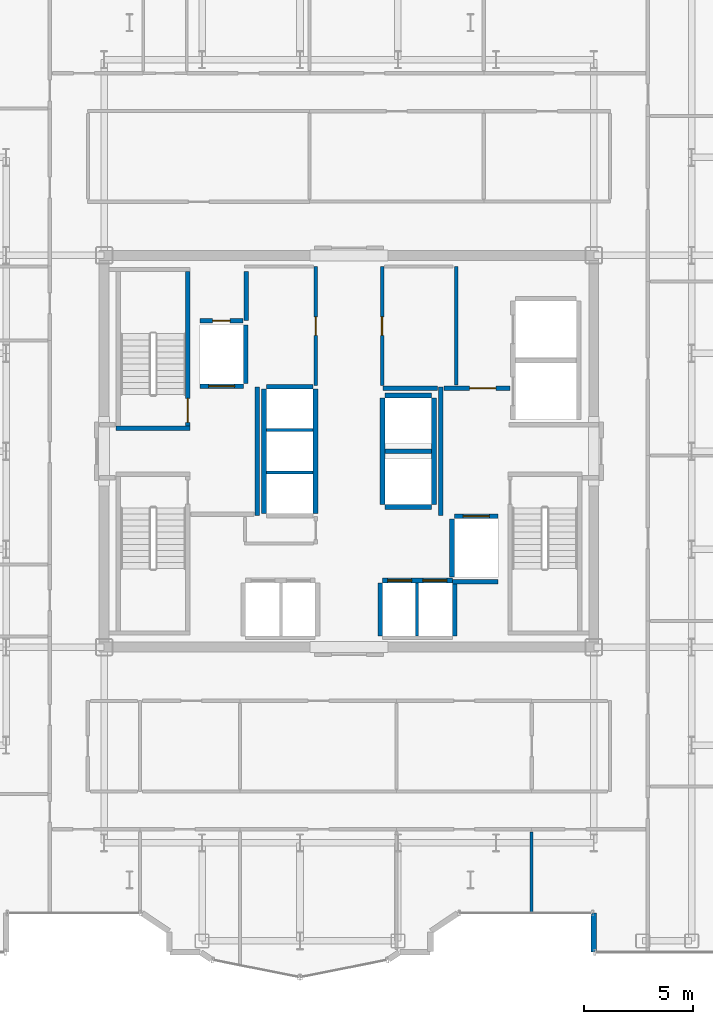
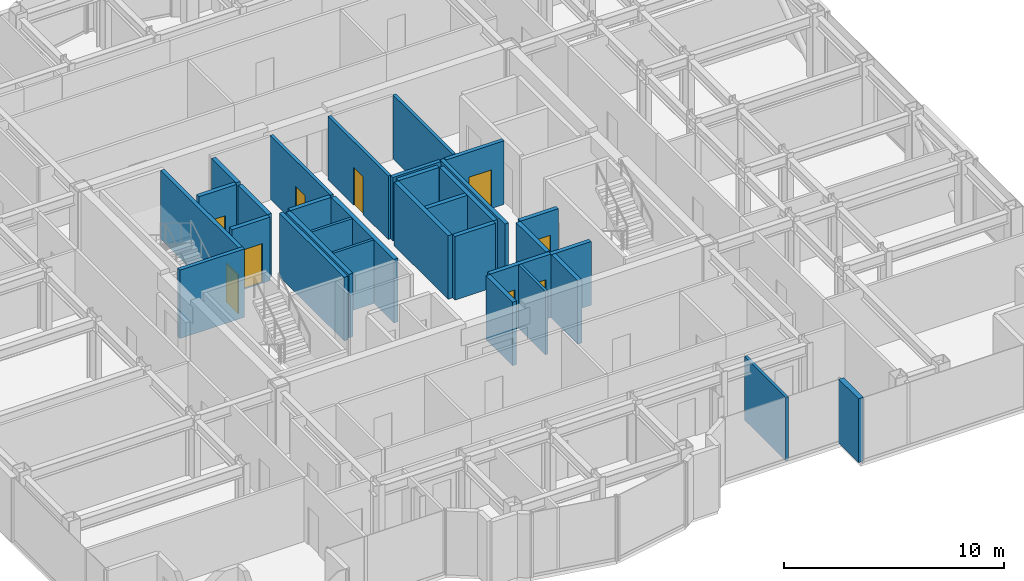
# One storey, part 17 of 21: 32 walls, 9 doors, 9 openings.
"""IFC4 building model written with IfcOpenShell, lengths in metres."""

from ifc_helpers import new_model, si_unit, direction, frame, frame_2d, origin, place, context, subcontext, project, spatial, rectangle, extrude, source, transform, mapped, material, layer, layer_set, type_object, element, fill, save


model = new_model("IFC4")

# Units and contexts
model_context = context("Model", 3, precision=1e-05, world=origin(), true_north=direction((0.0, 1.0)))
body_context = subcontext(model_context, "Body", "Model", "MODEL_VIEW")
ifc_project = project(units=[si_unit("LENGTHUNIT", "METRE"), si_unit("AREAUNIT", "SQUARE_METRE"), si_unit("VOLUMEUNIT", "CUBIC_METRE"), si_unit("PLANEANGLEUNIT", "RADIAN"), si_unit("MASSUNIT", "GRAM", prefix="KILO")], contexts=[model_context])

# Site, building, storey
site_placement = place(None, origin())
site = spatial("IfcSite", under=ifc_project, at=site_placement, CompositionType="ELEMENT")
building_placement = place(site_placement, origin())
building = spatial("IfcBuilding", under=site, at=building_placement, Name="Nefas-Gora Pilgrimage Tower", CompositionType="ELEMENT")
storey_placement = place(building_placement, frame((0.0, 0.0, 229.39990234375)))
storey = spatial("IfcBuildingStorey", under=building, at=storey_placement, Name="L57", CompositionType="ELEMENT", Elevation=229.39990234375)

# Walls
ifc_material_1 = material(Name="Precast concrete C40/50", Category="concrete")
ifc_layer_1 = layer(ifc_material_1, 0.260009765625)
ifc_layer_set_1 = layer_set([ifc_layer_1], Name="Precast concrete C40/50")
wall_type_1 = type_object("IfcWallType", Name="EW-PORTAL-260", PredefinedType="SOLIDWALL", material=ifc_layer_set_1)
shared_shape_1 = source(origin(), body_context, "Body", "SweptSolid", [
    extrude(rectangle(XDim=1.800048828125, YDim=0.260009765625, at=frame_2d((0.89990234375, 0.0))), origin(), (0.0, 0.0, 1.0), 3.550048828125),
])
wall_1_placement = place(storey_placement, frame((11.25, -21.219970703125, 0.0), z_axis=(0.0, 0.0, 1.0), x_axis=(0.0, -1.0, 0.0)))
element("IfcWall", 1, at=wall_1_placement, inside=storey, type_object=wall_type_1, Name="L57 Lobe Shoulder Precast Spandrel Pier 5", PredefinedType="SOLIDWALL", context=body_context, shape_type="MappedRepresentation", body=[
    mapped(shared_shape_1, transform((0.0, 0.0, 0.0), x_axis=(1.0, 0.0, 0.0), y_axis=(0.0, 1.0, 0.0), z_axis=(0.0, 0.0, 1.0), scale=1.0)),
])
ifc_material_2 = material(Name="Concrete C45/55", Category="concrete")
ifc_layer_2 = layer(ifc_material_2, 0.199951171875)
ifc_layer_set_2 = layer_set([ifc_layer_2], Name="Concrete C45/55")
wall_type_2 = type_object("IfcWallType", Name="IW-STAIR-200", PredefinedType="SOLIDWALL", material=ifc_layer_set_2)
shared_shape_2 = source(origin(), body_context, "Body", "SweptSolid", [
    extrude(rectangle(XDim=3.39990234375, YDim=0.199951171875, at=frame_2d((1.699951171875, 0.0))), origin(), (0.0, 0.0, 1.0), 3.800048828125),
])
wall_2_placement = place(storey_placement, frame((-7.300048828125, 1.050048828125, 0.0), z_axis=(0.0, 0.0, 1.0), x_axis=(-1.0, 0.0, 0.0)))
element("IfcWall", 2, at=wall_2_placement, inside=storey, type_object=wall_type_2, Name="L57 Stairwell Shear Wall ST-01-near", PredefinedType="SOLIDWALL", context=body_context, shape_type="MappedRepresentation", body=[
    mapped(shared_shape_2, transform((0.0, 0.0, 0.0), x_axis=(1.0, 0.0, 0.0), y_axis=(0.0, 1.0, 0.0), z_axis=(0.0, 0.0, 1.0), scale=1.0)),
])

# Wall, opening, door
shared_shape_3 = source(origin(), body_context, "Body", "SweptSolid", [
    extrude(rectangle(XDim=7.10009765625, YDim=0.199951171875, at=frame_2d((3.550048828125, 0.0))), origin(), (0.0, 0.0, 1.0), 3.800048828125),
])
wall_3_placement = place(storey_placement, frame((-7.39990234375, 1.14990234375, 0.0), z_axis=(0.0, 0.0, 1.0), x_axis=(0.0, 1.0, 0.0)))
wall_3 = element("IfcWall", 3, at=wall_3_placement, inside=storey, type_object=wall_type_2, Name="L57 Stairwell Shear Wall ST-01-left", PredefinedType="SOLIDWALL", context=body_context, shape_type="MappedRepresentation", body=[
    mapped(shared_shape_3, transform((0.0, 0.0, 0.0), x_axis=(1.0, 0.0, 0.0), y_axis=(0.0, 1.0, 0.0), z_axis=(0.0, 0.0, 1.0), scale=1.0)),
])
opening_1_placement = place(wall_3_placement, frame((0.179931640625, 0.0, 0.0)))
opening_1 = element("IfcOpeningElement", 4, at=opening_1_placement, cuts=wall_3, Name="Opening ID-ST1", PredefinedType="OPENING", context=body_context, shape_type="SweptSolid", body=[
    extrude(rectangle(XDim=1.10009765625, YDim=2.14990234375, at=frame_2d((0.550048828125, 1.074951171875))), frame((0.0, 0.10986328125, 0.0), z_axis=(0.0, -1.0, 0.0), x_axis=(1.0, 0.0, 0.0)), (0.0, 0.0, 1.0), 0.219970703125),
])
ifc_material_3 = material(Name="Painted galvanised steel fire stair door", Category="steel")
door_type_1 = type_object("IfcDoorType", Name="DR-INT-STAIR-1100", OperationType="NOTDEFINED", PredefinedType="DOOR", material=ifc_material_3)
shared_shape_4 = source(origin(), body_context, "Body", "SweptSolid", [
    extrude(rectangle(XDim=1.10009765625, YDim=2.14990234375, at=frame_2d((0.550048828125, 1.074951171875))), frame((0.0, 0.02490234375, 0.0), z_axis=(0.0, -1.0, 0.0), x_axis=(1.0, 0.0, 0.0)), (0.0, 0.0, 1.0), 0.050048828125),
])
door_1_placement = place(opening_1_placement, origin())
door_1 = element("IfcDoor", 5, at=door_1_placement, inside=storey, type_object=door_type_1, Name="L57 Protected Exit Stair Door ST-01", OperationType="SINGLE_SWING_LEFT", OverallHeight=2.14990234375, OverallWidth=1.10009765625, PredefinedType="DOOR", context=body_context, shape_type="MappedRepresentation", body=[
    mapped(shared_shape_4, transform((0.0, 0.0, 0.0), x_axis=(1.0, 0.0, 0.0), y_axis=(0.0, 1.0, 0.0), z_axis=(0.0, 0.0, 1.0), scale=1.0)),
])
fill(opening_1, door_1)

ifc_material_4 = material(Name="Concrete C40/50", Category="concrete")
ifc_layer_3 = layer(ifc_material_4, 0.219970703125)
ifc_layer_set_3 = layer_set([ifc_layer_3], Name="Concrete C40/50")
wall_type_3 = type_object("IfcWallType", Name="IW-SHAFT-220", PredefinedType="SOLIDWALL", material=ifc_layer_set_3)
shared_shape_5 = source(origin(), body_context, "Body", "SweptSolid", [
    extrude(rectangle(XDim=2.0, YDim=0.219970703125, at=frame_2d((1.0, 0.0))), origin(), (0.0, 0.0, 1.0), 3.53515625),
])
wall_4_placement = place(storey_placement, frame((-6.85009765625, 2.989990234375, 0.0), z_axis=(0.0, 0.0, 1.0), x_axis=(1.0, 0.0, 0.0)))
wall_4 = element("IfcWall", 6, at=wall_4_placement, inside=storey, type_object=wall_type_3, Name="L57 Hoistway Wall FFL-01-S", PredefinedType="SOLIDWALL", context=body_context, shape_type="MappedRepresentation", body=[
    mapped(shared_shape_5, transform((0.0, 0.0, 0.0), x_axis=(1.0, 0.0, 0.0), y_axis=(0.0, 1.0, 0.0), z_axis=(0.0, 0.0, 1.0), scale=1.0)),
])
opening_2_placement = place(wall_4_placement, frame((0.39990234375, 0.0, 0.0)))
opening_2 = element("IfcOpeningElement", 7, at=opening_2_placement, cuts=wall_4, Name="Opening LD-FF", PredefinedType="OPENING", context=body_context, shape_type="SweptSolid", body=[
    extrude(rectangle(XDim=1.199951171875, YDim=2.199951171875, at=frame_2d((0.60009765625, 1.10009765625))), frame((0.0, 0.119873046875, 0.0), z_axis=(0.0, -1.0, 0.0), x_axis=(1.0, 0.0, 0.0)), (0.0, 0.0, 1.0), 0.239990234375),
])
ifc_material_5 = material(Name="Fire-service sliding lift landing door")
door_type_2 = type_object("IfcDoorType", Name="DR-LIFT-FSAE-1200", OperationType="SLIDING_TO_LEFT", PredefinedType="DOOR", material=ifc_material_5)
shared_shape_6 = source(origin(), body_context, "Body", "SweptSolid", [
    extrude(rectangle(XDim=1.199951171875, YDim=2.199951171875, at=frame_2d((0.60009765625, 1.10009765625))), frame((0.0, 0.02490234375, 0.0), z_axis=(0.0, -1.0, 0.0), x_axis=(1.0, 0.0, 0.0)), (0.0, 0.0, 1.0), 0.050048828125),
])
door_2_placement = place(opening_2_placement, origin())
door_2 = element("IfcDoor", 8, at=door_2_placement, inside=storey, type_object=door_type_2, Name="L57 Sliding Lift Landing Door FFL-01", OperationType="SLIDING_TO_LEFT", OverallHeight=2.199951171875, OverallWidth=1.199951171875, PredefinedType="DOOR", context=body_context, shape_type="MappedRepresentation", body=[
    mapped(shared_shape_6, transform((0.0, 0.0, 0.0), x_axis=(1.0, 0.0, 0.0), y_axis=(0.0, 1.0, 0.0), z_axis=(0.0, 0.0, 1.0), scale=1.0)),
])
fill(opening_2, door_2)

wall_5_placement = place(storey_placement, frame((6.85009765625, -2.989990234375, 0.0), z_axis=(0.0, 0.0, 1.0), x_axis=(-1.0, 0.0, 0.0)))
wall_5 = element("IfcWall", 9, at=wall_5_placement, inside=storey, type_object=wall_type_3, Name="L57 Hoistway Wall FFL-02-N", PredefinedType="SOLIDWALL", context=body_context, shape_type="MappedRepresentation", body=[
    mapped(shared_shape_5, transform((0.0, 0.0, 0.0), x_axis=(1.0, 0.0, 0.0), y_axis=(0.0, 1.0, 0.0), z_axis=(0.0, 0.0, 1.0), scale=1.0)),
])
opening_3_placement = place(wall_5_placement, frame((0.39990234375, 0.0, 0.0)))
opening_3 = element("IfcOpeningElement", 10, at=opening_3_placement, cuts=wall_5, Name="Opening LD-FF", PredefinedType="OPENING", context=body_context, shape_type="SweptSolid", body=[
    extrude(rectangle(XDim=1.199951171875, YDim=2.199951171875, at=frame_2d((0.60009765625, 1.10009765625))), frame((0.0, 0.119873046875, 0.0), z_axis=(0.0, -1.0, 0.0), x_axis=(1.0, 0.0, 0.0)), (0.0, 0.0, 1.0), 0.239990234375),
])
door_3_placement = place(opening_3_placement, origin())
door_3 = element("IfcDoor", 11, at=door_3_placement, inside=storey, type_object=door_type_2, Name="L57 Sliding Lift Landing Door FFL-02", OperationType="SLIDING_TO_LEFT", OverallHeight=2.199951171875, OverallWidth=1.199951171875, PredefinedType="DOOR", context=body_context, shape_type="MappedRepresentation", body=[
    mapped(shared_shape_6, transform((0.0, 0.0, 0.0), x_axis=(1.0, 0.0, 0.0), y_axis=(0.0, 1.0, 0.0), z_axis=(0.0, 0.0, 1.0), scale=1.0)),
])
fill(opening_3, door_3)

# Walls
shared_shape_7 = source(origin(), body_context, "Body", "SweptSolid", [
    extrude(rectangle(XDim=2.679931640625, YDim=0.219970703125, at=frame_2d((1.33984375, 0.0))), origin(), (0.0, 0.0, 1.0), 3.53515625),
])
for number, where, z_axis, x_axis, name in (
    (12, (-4.739990234375, 3.110107421875, 0.0), (0.0, 0.0, 1.0), (0.0, 1.0, 0.0), "L57 Hoistway Wall FFL-01-E"),
    (13, (4.739990234375, -3.110107421875, 0.0), (0.0, 0.0, 1.0), (0.0, -1.0, 0.0), "L57 Hoistway Wall FFL-02-W"),
):
    element("IfcWall", number, at=place(storey_placement, frame(where, z_axis=z_axis, x_axis=x_axis)), inside=storey, type_object=wall_type_3, Name=name, PredefinedType="SOLIDWALL", context=body_context, shape_type="MappedRepresentation", body=[
        mapped(shared_shape_7, transform((0.0, 0.0, 0.0), x_axis=(1.0, 0.0, 0.0), y_axis=(0.0, 1.0, 0.0), z_axis=(0.0, 0.0, 1.0), scale=1.0)),
    ])

# Wall, openings, doors
shared_shape_8 = source(origin(), body_context, "Body", "SweptSolid", [
    extrude(rectangle(XDim=3.199951171875, YDim=0.219970703125, at=frame_2d((1.60009765625, 0.0))), origin(), (0.0, 0.0, 1.0), 3.53515625),
])
wall_6_placement = place(storey_placement, frame((4.75, -5.93994140625, 0.0), z_axis=(0.0, 0.0, 1.0), x_axis=(-1.0, 0.0, 0.0)))
wall_6 = element("IfcWall", 14, at=wall_6_placement, inside=storey, type_object=wall_type_3, Name="L57 Hoistway Wall PL2-E-N", PredefinedType="SOLIDWALL", context=body_context, shape_type="MappedRepresentation", body=[
    mapped(shared_shape_8, transform((0.0, 0.0, 0.0), x_axis=(1.0, 0.0, 0.0), y_axis=(0.0, 1.0, 0.0), z_axis=(0.0, 0.0, 1.0), scale=1.0)),
])
opening_4_placement = place(wall_6_placement, frame((1.875, 0.0, 0.0)))
opening_4 = element("IfcOpeningElement", 15, at=opening_4_placement, cuts=wall_6, Name="Opening LD-01", PredefinedType="OPENING", context=body_context, shape_type="SweptSolid", body=[
    extrude(rectangle(XDim=1.10009765625, YDim=2.199951171875, at=frame_2d((0.550048828125, 1.10009765625))), frame((0.0, 0.119873046875, 0.0), z_axis=(0.0, -1.0, 0.0), x_axis=(1.0, 0.0, 0.0)), (0.0, 0.0, 1.0), 0.239990234375),
])
opening_5_placement = place(wall_6_placement, frame((0.25, 0.0, 0.0)))
opening_5 = element("IfcOpeningElement", 16, at=opening_5_placement, cuts=wall_6, Name="Opening LD-01", PredefinedType="OPENING", context=body_context, shape_type="SweptSolid", body=[
    extrude(rectangle(XDim=1.10009765625, YDim=2.199951171875, at=frame_2d((0.550048828125, 1.10009765625))), frame((0.0, 0.119873046875, 0.0), z_axis=(0.0, -1.0, 0.0), x_axis=(1.0, 0.0, 0.0)), (0.0, 0.0, 1.0), 0.239990234375),
])
ifc_material_6 = material(Name="Brushed stainless sliding lift landing door")
door_type_3 = type_object("IfcDoorType", Name="DR-LIFT-PASS-1100", OperationType="DOUBLE_DOOR_SLIDING", PredefinedType="DOOR", material=ifc_material_6)
shared_shape_9 = source(origin(), body_context, "Body", "SweptSolid", [
    extrude(rectangle(XDim=1.10009765625, YDim=2.199951171875, at=frame_2d((0.550048828125, 1.10009765625))), frame((0.0, 0.02490234375, 0.0), z_axis=(0.0, -1.0, 0.0), x_axis=(1.0, 0.0, 0.0)), (0.0, 0.0, 1.0), 0.050048828125),
])
door_4_placement = place(opening_4_placement, origin())
door_4 = element("IfcDoor", 17, at=door_4_placement, inside=storey, type_object=door_type_3, Name="L57 Sliding Lift Landing Door PL2-03", OperationType="DOUBLE_DOOR_SLIDING", OverallHeight=2.199951171875, OverallWidth=1.10009765625, PredefinedType="DOOR", context=body_context, shape_type="MappedRepresentation", body=[
    mapped(shared_shape_9, transform((0.0, 0.0, 0.0), x_axis=(1.0, 0.0, 0.0), y_axis=(0.0, 1.0, 0.0), z_axis=(0.0, 0.0, 1.0), scale=1.0)),
])
fill(opening_4, door_4)
door_5_placement = place(opening_5_placement, origin())
door_5 = element("IfcDoor", 18, at=door_5_placement, inside=storey, type_object=door_type_3, Name="L57 Sliding Lift Landing Door PL2-04", OperationType="DOUBLE_DOOR_SLIDING", OverallHeight=2.199951171875, OverallWidth=1.10009765625, PredefinedType="DOOR", context=body_context, shape_type="MappedRepresentation", body=[
    mapped(shared_shape_9, transform((0.0, 0.0, 0.0), x_axis=(1.0, 0.0, 0.0), y_axis=(0.0, 1.0, 0.0), z_axis=(0.0, 0.0, 1.0), scale=1.0)),
])
fill(opening_5, door_5)

# Walls
shared_shape_10 = source(origin(), body_context, "Body", "SweptSolid", [
    extrude(rectangle(XDim=2.429931640625, YDim=0.219970703125, at=frame_2d((1.21484375, 0.0))), origin(), (0.0, 0.0, 1.0), 3.53515625),
])
for number, where, z_axis, x_axis, name in (
    (19, (1.43994140625, -6.06005859375, 0.0), (0.0, 0.0, 1.0), (0.0, -1.0, 0.0), "L57 Hoistway Wall PL2-E-W"),
    (20, (4.860107421875, -8.489990234375, 0.0), (0.0, 0.0, 1.0), (0.0, 1.0, 0.0), "L57 Hoistway Wall PL2-E-E"),
):
    element("IfcWall", number, at=place(storey_placement, frame(where, z_axis=z_axis, x_axis=x_axis)), inside=storey, type_object=wall_type_3, Name=name, PredefinedType="SOLIDWALL", context=body_context, shape_type="MappedRepresentation", body=[
        mapped(shared_shape_10, transform((0.0, 0.0, 0.0), x_axis=(1.0, 0.0, 0.0), y_axis=(0.0, 1.0, 0.0), z_axis=(0.0, 0.0, 1.0), scale=1.0)),
    ])
ifc_material_7 = material(Name="Gypsum twin-stud partition")
ifc_layer_4 = layer(ifc_material_7, 0.139892578125)
ifc_layer_set_4 = layer_set([ifc_layer_4], Name="Gypsum twin-stud partition")
wall_type_4 = type_object("IfcWallType", Name="IW-UNIT-140", PredefinedType="PARTITIONING", material=ifc_layer_set_4)
shared_shape_11 = source(origin(), body_context, "Body", "SweptSolid", [
    extrude(rectangle(XDim=2.429931640625, YDim=0.139892578125, at=frame_2d((1.21484375, 0.0))), origin(), (0.0, 0.0, 1.0), 3.53515625),
])
wall_7_placement = place(storey_placement, frame((3.125, -8.489990234375, 0.0), z_axis=(0.0, 0.0, 1.0), x_axis=(0.0, 1.0, 0.0)))
element("IfcWall", 21, at=wall_7_placement, inside=storey, type_object=wall_type_4, Name="L57 Hoistway Wall PL2-E-DIV", PredefinedType="PARTITIONING", context=body_context, shape_type="MappedRepresentation", body=[
    mapped(shared_shape_11, transform((0.0, 0.0, 0.0), x_axis=(1.0, 0.0, 0.0), y_axis=(0.0, 1.0, 0.0), z_axis=(0.0, 0.0, 1.0), scale=1.0)),
])
shared_shape_12 = source(origin(), body_context, "Body", "SweptSolid", [
    extrude(rectangle(XDim=5.7001953125, YDim=0.219970703125, at=frame_2d((2.85009765625, 0.0))), origin(), (0.0, 0.0, 1.0), 3.53515625),
])
for number, where, z_axis, x_axis, name in (
    (22, (-1.5400390625, -2.85009765625, 0.0), (0.0, 0.0, 1.0), (0.0, 1.0, 0.0), "L57 Hoistway Wall PL3-01-03-E"),
    (23, (-3.909912109375, 2.85009765625, 0.0), (0.0, 0.0, 1.0), (0.0, -1.0, 0.0), "L57 Hoistway Wall PL3-01-03-W"),
):
    element("IfcWall", number, at=place(storey_placement, frame(where, z_axis=z_axis, x_axis=x_axis)), inside=storey, type_object=wall_type_3, Name=name, PredefinedType="SOLIDWALL", context=body_context, shape_type="MappedRepresentation", body=[
        mapped(shared_shape_12, transform((0.0, 0.0, 0.0), x_axis=(1.0, 0.0, 0.0), y_axis=(0.0, 1.0, 0.0), z_axis=(0.0, 0.0, 1.0), scale=1.0)),
    ])
shared_shape_13 = source(origin(), body_context, "Body", "SweptSolid", [
    extrude(rectangle(XDim=2.130126953125, YDim=0.219970703125, at=frame_2d((1.06494140625, 0.0))), origin(), (0.0, 0.0, 1.0), 3.53515625),
])
for number, where, z_axis, x_axis, name in (
    (24, (-1.659912109375, 2.9599609375, 0.0), (0.0, 0.0, 1.0), (-1.0, 0.0, 0.0), "L57 Hoistway Wall PL3-03-N"),
    (25, (1.659912109375, -2.56005859375, 0.0), (0.0, 0.0, 1.0), (1.0, 0.0, 0.0), "L57 Hoistway Wall OBS-01-S"),
    (26, (1.659912109375, 0.0, 0.0), (0.0, 0.0, 1.0), (1.0, 0.0, 0.0), "L57 Hoistway Wall OBS-01-02-DIV"),
    (27, (3.7900390625, 2.56005859375, 0.0), (0.0, 0.0, 1.0), (-1.0, 0.0, 0.0), "L57 Hoistway Wall OBS-02-N"),
):
    element("IfcWall", number, at=place(storey_placement, frame(where, z_axis=z_axis, x_axis=x_axis)), inside=storey, type_object=wall_type_3, Name=name, PredefinedType="SOLIDWALL", context=body_context, shape_type="MappedRepresentation", body=[
        mapped(shared_shape_13, transform((0.0, 0.0, 0.0), x_axis=(1.0, 0.0, 0.0), y_axis=(0.0, 1.0, 0.0), z_axis=(0.0, 0.0, 1.0), scale=1.0)),
    ])
shared_shape_14 = source(origin(), body_context, "Body", "SweptSolid", [
    extrude(rectangle(XDim=2.130126953125, YDim=0.139892578125, at=frame_2d((1.06494140625, 0.0))), origin(), (0.0, 0.0, 1.0), 3.53515625),
])
for number, where, z_axis, x_axis, name in (
    (28, (-3.7900390625, -0.97509765625, 0.0), (0.0, 0.0, 1.0), (1.0, 0.0, 0.0), "L57 Hoistway Wall PL3-01-02-DIV"),
    (29, (-3.7900390625, 0.97509765625, 0.0), (0.0, 0.0, 1.0), (1.0, 0.0, 0.0), "L57 Hoistway Wall PL3-02-03-DIV"),
):
    element("IfcWall", number, at=place(storey_placement, frame(where, z_axis=z_axis, x_axis=x_axis)), inside=storey, type_object=wall_type_4, Name=name, PredefinedType="PARTITIONING", context=body_context, shape_type="MappedRepresentation", body=[
        mapped(shared_shape_14, transform((0.0, 0.0, 0.0), x_axis=(1.0, 0.0, 0.0), y_axis=(0.0, 1.0, 0.0), z_axis=(0.0, 0.0, 1.0), scale=1.0)),
    ])
shared_shape_15 = source(origin(), body_context, "Body", "SweptSolid", [
    extrude(rectangle(XDim=4.89990234375, YDim=0.219970703125, at=frame_2d((2.449951171875, 0.0))), origin(), (0.0, 0.0, 1.0), 3.53515625),
])
for number, where, z_axis, x_axis, name in (
    (30, (1.5400390625, 2.449951171875, 0.0), (0.0, 0.0, 1.0), (0.0, -1.0, 0.0), "L57 Hoistway Wall OBS-01-02-W"),
    (31, (3.909912109375, -2.449951171875, 0.0), (0.0, 0.0, 1.0), (0.0, 1.0, 0.0), "L57 Hoistway Wall OBS-01-02-E"),
):
    element("IfcWall", number, at=place(storey_placement, frame(where, z_axis=z_axis, x_axis=x_axis)), inside=storey, type_object=wall_type_3, Name=name, PredefinedType="SOLIDWALL", context=body_context, shape_type="MappedRepresentation", body=[
        mapped(shared_shape_15, transform((0.0, 0.0, 0.0), x_axis=(1.0, 0.0, 0.0), y_axis=(0.0, 1.0, 0.0), z_axis=(0.0, 0.0, 1.0), scale=1.0)),
    ])
shared_shape_16 = source(origin(), body_context, "Body", "SweptSolid", [
    extrude(rectangle(XDim=2.09521484375, YDim=0.219970703125, at=frame_2d((1.047607421875, 0.0))), origin(), (0.0, 0.0, 1.0), 3.53515625),
])
wall_8_placement = place(storey_placement, frame((4.7548828125, -6.0, 0.0), z_axis=(0.0, 0.0, 1.0), x_axis=(1.0, 0.0, 0.0)))
element("IfcWall", 32, at=wall_8_placement, inside=storey, type_object=wall_type_3, Name="L57 Riser Shaft Wall 3", PredefinedType="SOLIDWALL", context=body_context, shape_type="MappedRepresentation", body=[
    mapped(shared_shape_16, transform((0.0, 0.0, 0.0), x_axis=(1.0, 0.0, 0.0), y_axis=(0.0, 1.0, 0.0), z_axis=(0.0, 0.0, 1.0), scale=1.0)),
])
ifc_material_8 = material(Name="Gypsum fire-rated shaftwall")
ifc_layer_5 = layer(ifc_material_8, 0.199951171875)
ifc_layer_set_5 = layer_set([ifc_layer_5], Name="Gypsum fire-rated shaftwall")
wall_type_5 = type_object("IfcWallType", Name="IW-FFLOB-200", PredefinedType="PARTITIONING", material=ifc_layer_set_5)
shared_shape_17 = source(origin(), body_context, "Body", "SweptSolid", [
    extrude(rectangle(XDim=5.89990234375, YDim=0.199951171875, at=frame_2d((2.949951171875, 0.0))), origin(), (0.0, 0.0, 1.0), 3.53515625),
])
for number, where, z_axis, x_axis, name in (
    (33, (-4.219970703125, -2.949951171875, 0.0), (0.0, 0.0, 1.0), (0.0, 1.0, 0.0), "L57 FF Lobby West Inner Wall Wall 5"),
    (34, (4.219970703125, -2.949951171875, 0.0), (0.0, 0.0, 1.0), (0.0, 1.0, 0.0), "L57 FF Lobby East Inner Wall Wall 10"),
):
    element("IfcWall", number, at=place(storey_placement, frame(where, z_axis=z_axis, x_axis=x_axis)), inside=storey, type_object=wall_type_5, Name=name, PredefinedType="PARTITIONING", context=body_context, shape_type="MappedRepresentation", body=[
        mapped(shared_shape_17, transform((0.0, 0.0, 0.0), x_axis=(1.0, 0.0, 0.0), y_axis=(0.0, 1.0, 0.0), z_axis=(0.0, 0.0, 1.0), scale=1.0)),
    ])

# Wall, opening, door
shared_shape_18 = source(origin(), body_context, "Body", "SweptSolid", [
    extrude(rectangle(XDim=3.039794921875, YDim=0.199951171875, at=frame_2d((1.52001953125, 0.0))), origin(), (0.0, 0.0, 1.0), 3.53515625),
])
wall_9_placement = place(storey_placement, frame((4.360107421875, 2.89990234375, 0.0), z_axis=(0.0, 0.0, 1.0), x_axis=(1.0, 0.0, 0.0)))
wall_9 = element("IfcWall", 35, at=wall_9_placement, inside=storey, type_object=wall_type_5, Name="L57 FF Lobby East North Wall Wall 12", PredefinedType="PARTITIONING", context=body_context, shape_type="MappedRepresentation", body=[
    mapped(shared_shape_18, transform((0.0, 0.0, 0.0), x_axis=(1.0, 0.0, 0.0), y_axis=(0.0, 1.0, 0.0), z_axis=(0.0, 0.0, 1.0), scale=1.0)),
])
opening_6_placement = place(wall_9_placement, frame((1.18994140625, 0.0, 0.0)))
opening_6 = element("IfcOpeningElement", 36, at=opening_6_placement, cuts=wall_9, Name="Opening ID-PL1", PredefinedType="OPENING", context=body_context, shape_type="SweptSolid", body=[
    extrude(rectangle(XDim=1.199951171875, YDim=2.14990234375, at=frame_2d((0.60009765625, 1.074951171875))), frame((0.0, 0.10986328125, 0.0), z_axis=(0.0, -1.0, 0.0), x_axis=(1.0, 0.0, 0.0)), (0.0, 0.0, 1.0), 0.219970703125),
])
ifc_material_9 = material(Name="Heavy-duty steel plant room fire door", Category="steel")
door_type_4 = type_object("IfcDoorType", Name="DR-INT-PLANT-1200", OperationType="NOTDEFINED", PredefinedType="DOOR", material=ifc_material_9)
shared_shape_19 = source(origin(), body_context, "Body", "SweptSolid", [
    extrude(rectangle(XDim=1.199951171875, YDim=2.14990234375, at=frame_2d((0.60009765625, 1.074951171875))), frame((0.0, 0.02490234375, 0.0), z_axis=(0.0, -1.0, 0.0), x_axis=(1.0, 0.0, 0.0)), (0.0, 0.0, 1.0), 0.050048828125),
])
door_6_placement = place(opening_6_placement, origin())
door_6 = element("IfcDoor", 37, at=door_6_placement, inside=storey, type_object=door_type_4, Name="L57 Service Lift Lobby Door Door 4", OperationType="SINGLE_SWING_RIGHT", OverallHeight=2.14990234375, OverallWidth=1.199951171875, PredefinedType="DOOR", context=body_context, shape_type="MappedRepresentation", body=[
    mapped(shared_shape_19, transform((0.0, 0.0, 0.0), x_axis=(1.0, 0.0, 0.0), y_axis=(0.0, 1.0, 0.0), z_axis=(0.0, 0.0, 1.0), scale=1.0)),
])
fill(opening_6, door_6)

# Wall
shared_shape_20 = source(origin(), body_context, "Body", "SweptSolid", [
    extrude(rectangle(XDim=2.25, YDim=0.219970703125, at=frame_2d((1.125, 0.0))), origin(), (0.0, 0.0, 1.0), 3.53515625),
])
wall_10_placement = place(storey_placement, frame((-4.719970703125, 6.0, 0.0), z_axis=(0.0, 0.0, 1.0), x_axis=(0.0, 1.0, 0.0)))
element("IfcWall", 38, at=wall_10_placement, inside=storey, type_object=wall_type_3, Name="L57 Riser Shaft Wall 1", PredefinedType="SOLIDWALL", context=body_context, shape_type="MappedRepresentation", body=[
    mapped(shared_shape_20, transform((0.0, 0.0, 0.0), x_axis=(1.0, 0.0, 0.0), y_axis=(0.0, 1.0, 0.0), z_axis=(0.0, 0.0, 1.0), scale=1.0)),
])

# Wall, opening, door
shared_shape_21 = source(origin(), body_context, "Body", "SweptSolid", [
    extrude(rectangle(XDim=1.97998046875, YDim=0.219970703125, at=frame_2d((0.989990234375, 0.0))), origin(), (0.0, 0.0, 1.0), 3.53515625),
])
wall_11_placement = place(storey_placement, frame((-6.85009765625, 6.0, 0.0), z_axis=(0.0, 0.0, 1.0), x_axis=(1.0, 0.0, 0.0)))
wall_11 = element("IfcWall", 39, at=wall_11_placement, inside=storey, type_object=wall_type_3, Name="L57 Riser Shaft Wall 2", PredefinedType="SOLIDWALL", context=body_context, shape_type="MappedRepresentation", body=[
    mapped(shared_shape_21, transform((0.0, 0.0, 0.0), x_axis=(1.0, 0.0, 0.0), y_axis=(0.0, 1.0, 0.0), z_axis=(0.0, 0.0, 1.0), scale=1.0)),
])
opening_7_placement = place(wall_11_placement, frame((0.590087890625, 0.0, 0.0)))
opening_7 = element("IfcOpeningElement", 40, at=opening_7_placement, cuts=wall_11, Name="Opening ID-TR1", PredefinedType="OPENING", context=body_context, shape_type="SweptSolid", body=[
    extrude(rectangle(XDim=0.800048828125, YDim=2.0, at=frame_2d((0.39990234375, 1.0))), frame((0.0, 0.119873046875, 0.0), z_axis=(0.0, -1.0, 0.0), x_axis=(1.0, 0.0, 0.0)), (0.0, 0.0, 1.0), 0.239990234375),
])
ifc_material_10 = material(Name="Riser maintenance fire access door")
door_type_5 = type_object("IfcDoorType", Name="DR-INT-TRAP-800", OperationType="NOTDEFINED", PredefinedType="TRAPDOOR", material=ifc_material_10)
shared_shape_22 = source(origin(), body_context, "Body", "SweptSolid", [
    extrude(rectangle(XDim=0.800048828125, YDim=2.0, at=frame_2d((0.39990234375, 1.0))), frame((0.0, 0.02490234375, 0.0), z_axis=(0.0, -1.0, 0.0), x_axis=(1.0, 0.0, 0.0)), (0.0, 0.0, 1.0), 0.050048828125),
])
door_7_placement = place(opening_7_placement, origin())
door_7 = element("IfcDoor", 41, at=door_7_placement, inside=storey, type_object=door_type_5, Name="L57 Riser Shaft Door 1", OperationType="SINGLE_SWING_LEFT", OverallHeight=2.0, OverallWidth=0.800048828125, PredefinedType="TRAPDOOR", context=body_context, shape_type="MappedRepresentation", body=[
    mapped(shared_shape_22, transform((0.0, 0.0, 0.0), x_axis=(1.0, 0.0, 0.0), y_axis=(0.0, 1.0, 0.0), z_axis=(0.0, 0.0, 1.0), scale=1.0)),
])
fill(opening_7, door_7)

# Walls
shared_shape_23 = source(origin(), body_context, "Body", "SweptSolid", [
    extrude(rectangle(XDim=2.52001953125, YDim=0.199951171875, at=frame_2d((1.260009765625, 0.0))), origin(), (0.0, 0.0, 1.0), 3.53515625),
])
wall_12_placement = place(storey_placement, frame((1.56005859375, 2.89990234375, 0.0), z_axis=(0.0, 0.0, 1.0), x_axis=(1.0, 0.0, 0.0)))
element("IfcWall", 42, at=wall_12_placement, inside=storey, type_object=wall_type_5, Name="L57 FF Lobby East North Wall Wall 11", PredefinedType="PARTITIONING", context=body_context, shape_type="MappedRepresentation", body=[
    mapped(shared_shape_23, transform((0.0, 0.0, 0.0), x_axis=(1.0, 0.0, 0.0), y_axis=(0.0, 1.0, 0.0), z_axis=(0.0, 0.0, 1.0), scale=1.0)),
])
ifc_material_11 = material(Name="Gypsum acoustic stud partition")
ifc_layer_6 = layer(ifc_material_11, 0.159912109375)
ifc_layer_set_6 = layer_set([ifc_layer_6], Name="Gypsum acoustic stud partition")
wall_type_6 = type_object("IfcWallType", Name="IW-CORR-160", PredefinedType="PARTITIONING", material=ifc_layer_set_6)
shared_shape_24 = source(origin(), body_context, "Body", "SweptSolid", [
    extrude(rectangle(XDim=5.449951171875, YDim=0.159912109375, at=frame_2d((2.72509765625, 0.0))), origin(), (0.0, 0.0, 1.0), 3.53515625),
])
wall_13_placement = place(storey_placement, frame((4.919921875, 3.0400390625, 0.0), z_axis=(0.0, 0.0, 1.0), x_axis=(0.0, 1.0, 0.0)))
element("IfcWall", 43, at=wall_13_placement, inside=storey, type_object=wall_type_6, Name="L57 Service Lift Lobby West Wall Wall 17", PredefinedType="PARTITIONING", context=body_context, shape_type="MappedRepresentation", body=[
    mapped(shared_shape_24, transform((0.0, 0.0, 0.0), x_axis=(1.0, 0.0, 0.0), y_axis=(0.0, 1.0, 0.0), z_axis=(0.0, 0.0, 1.0), scale=1.0)),
])
shared_shape_25 = source(origin(), body_context, "Body", "SweptSolid", [
    extrude(rectangle(XDim=3.75, YDim=0.139892578125, at=frame_2d((1.875, 0.0))), origin(), (0.0, 0.0, 1.0), 3.53515625),
])
wall_14_placement = place(storey_placement, frame((8.39501953125, -21.239990234375, 0.0), z_axis=(0.0, 0.0, 1.0), x_axis=(0.0, 1.0, 0.0)))
element("IfcWall", 44, at=wall_14_placement, inside=storey, type_object=wall_type_4, Name="L57 Pilgrim Contemplative Lounge Partition Wall 85", PredefinedType="PARTITIONING", context=body_context, shape_type="MappedRepresentation", body=[
    mapped(shared_shape_25, transform((0.0, 0.0, 0.0), x_axis=(1.0, 0.0, 0.0), y_axis=(0.0, 1.0, 0.0), z_axis=(0.0, 0.0, 1.0), scale=1.0)),
])

# Wall, opening, door
shared_shape_26 = source(origin(), body_context, "Body", "SweptSolid", [
    extrude(rectangle(XDim=5.47998046875, YDim=0.159912109375, at=frame_2d((2.739990234375, 0.0))), origin(), (0.0, 0.0, 1.0), 3.53515625),
])
wall_15_placement = place(storey_placement, frame((-1.52001953125, 3.010009765625, 0.0), z_axis=(0.0, 0.0, 1.0), x_axis=(0.0, 1.0, 0.0)))
wall_15 = element("IfcWall", 45, at=wall_15_placement, inside=storey, type_object=wall_type_6, Name="L57 Housekeeping and Linen Store Wall 18", PredefinedType="PARTITIONING", context=body_context, shape_type="MappedRepresentation", body=[
    mapped(shared_shape_26, transform((0.0, 0.0, 0.0), x_axis=(1.0, 0.0, 0.0), y_axis=(0.0, 1.0, 0.0), z_axis=(0.0, 0.0, 1.0), scale=1.0)),
])
opening_8_placement = place(wall_15_placement, frame((2.31494140625, 0.0, 0.0)))
opening_8 = element("IfcOpeningElement", 46, at=opening_8_placement, cuts=wall_15, Name="Opening ID-BT1", PredefinedType="OPENING", context=body_context, shape_type="SweptSolid", body=[
    extrude(rectangle(XDim=0.85009765625, YDim=2.10009765625, at=frame_2d((0.425048828125, 1.050048828125))), frame((0.0, 0.08984375, 0.0), z_axis=(0.0, -1.0, 0.0), x_axis=(1.0, 0.0, 0.0)), (0.0, 0.0, 1.0), 0.179931640625),
])
ifc_material_12 = material(Name="Moisture-resistant fire-rated timber door", Category="wood")
door_type_6 = type_object("IfcDoorType", Name="DR-INT-BATH-850", OperationType="NOTDEFINED", PredefinedType="DOOR", material=ifc_material_12)
shared_shape_27 = source(origin(), body_context, "Body", "SweptSolid", [
    extrude(rectangle(XDim=0.85009765625, YDim=2.10009765625, at=frame_2d((0.425048828125, 1.050048828125))), frame((0.0, 0.02490234375, 0.0), z_axis=(0.0, -1.0, 0.0), x_axis=(1.0, 0.0, 0.0)), (0.0, 0.0, 1.0), 0.050048828125),
])
door_8_placement = place(opening_8_placement, origin())
door_8 = element("IfcDoor", 47, at=door_8_placement, inside=storey, type_object=door_type_6, Name="L57 Housekeeping and Linen Store Door 7", OperationType="SINGLE_SWING_LEFT", OverallHeight=2.10009765625, OverallWidth=0.85009765625, PredefinedType="DOOR", context=body_context, shape_type="MappedRepresentation", body=[
    mapped(shared_shape_27, transform((0.0, 0.0, 0.0), x_axis=(1.0, 0.0, 0.0), y_axis=(0.0, 1.0, 0.0), z_axis=(0.0, 0.0, 1.0), scale=1.0)),
])
fill(opening_8, door_8)

wall_16_placement = place(storey_placement, frame((1.52001953125, 3.010009765625, 0.0), z_axis=(0.0, 0.0, 1.0), x_axis=(0.0, 1.0, 0.0)))
wall_16 = element("IfcWall", 48, at=wall_16_placement, inside=storey, type_object=wall_type_6, Name="L57 Freed Bank-1 Amenity Supply Store Wall 23", PredefinedType="PARTITIONING", context=body_context, shape_type="MappedRepresentation", body=[
    mapped(shared_shape_26, transform((0.0, 0.0, 0.0), x_axis=(1.0, 0.0, 0.0), y_axis=(0.0, 1.0, 0.0), z_axis=(0.0, 0.0, 1.0), scale=1.0)),
])
opening_9_placement = place(wall_16_placement, frame((2.31494140625, 0.0, 0.0)))
opening_9 = element("IfcOpeningElement", 49, at=opening_9_placement, cuts=wall_16, Name="Opening ID-BT1", PredefinedType="OPENING", context=body_context, shape_type="SweptSolid", body=[
    extrude(rectangle(XDim=0.85009765625, YDim=2.10009765625, at=frame_2d((0.425048828125, 1.050048828125))), frame((0.0, 0.08984375, 0.0), z_axis=(0.0, -1.0, 0.0), x_axis=(1.0, 0.0, 0.0)), (0.0, 0.0, 1.0), 0.179931640625),
])
door_9_placement = place(opening_9_placement, origin())
door_9 = element("IfcDoor", 50, at=door_9_placement, inside=storey, type_object=door_type_6, Name="L57 Freed Bank-1 Amenity Supply Store Door 9", OperationType="SINGLE_SWING_LEFT", OverallHeight=2.10009765625, OverallWidth=0.85009765625, PredefinedType="DOOR", context=body_context, shape_type="MappedRepresentation", body=[
    mapped(shared_shape_27, transform((0.0, 0.0, 0.0), x_axis=(1.0, 0.0, 0.0), y_axis=(0.0, 1.0, 0.0), z_axis=(0.0, 0.0, 1.0), scale=1.0)),
])
fill(opening_9, door_9)

save(model, "model.ifc")
